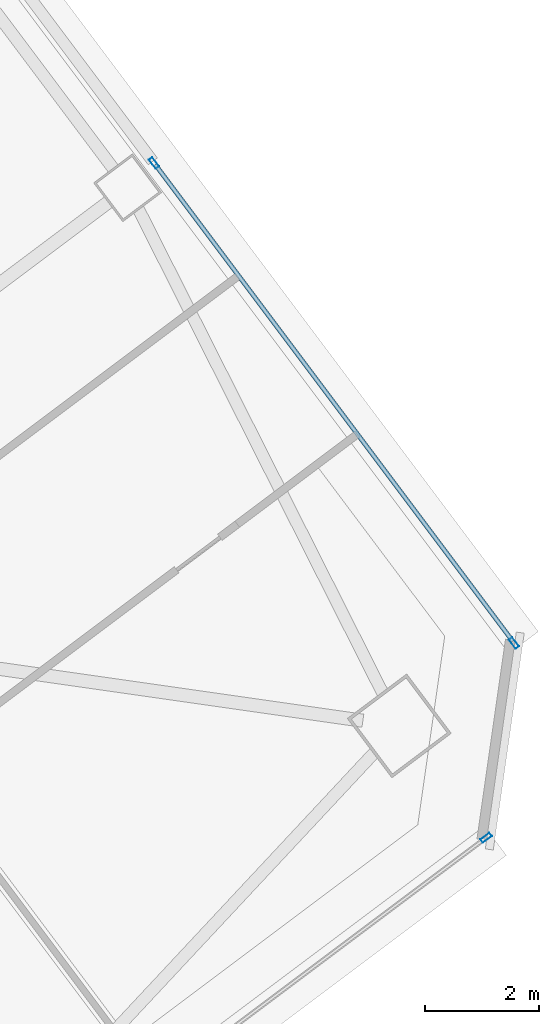
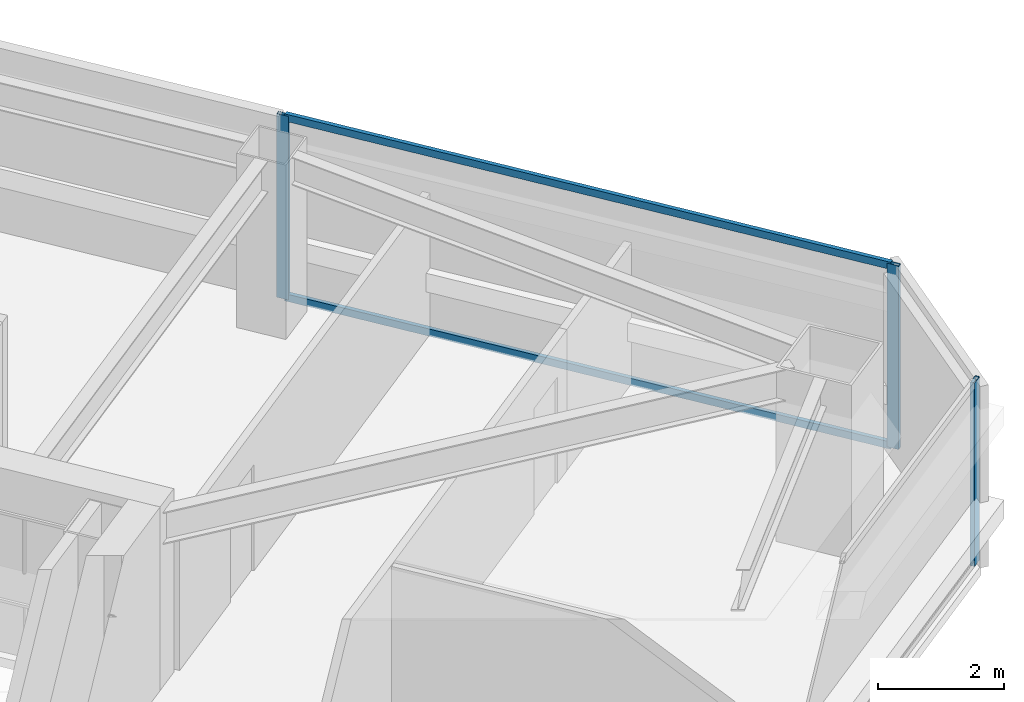
# One storey, part 24 of 41: 5 members, 2 elements without a shape of their own.
"""IFC4 building model written with IfcOpenShell, lengths in metres."""

from ifc_helpers import new_model, si_unit, direction, frame, origin, origin_2d, place, context, subcontext, project, spatial, hollow_rectangle, extrude, material, material_profile, profile_set, type_object, element, aggregate, save


model = new_model("IFC4")

# Units and contexts
model_context = context("Model", 3, precision=1e-05, world=origin(), true_north=direction((0.0, 1.0)))
body_context = subcontext(model_context, "Body", "Model", "MODEL_VIEW")
ifc_project = project(units=[si_unit("LENGTHUNIT", "METRE"), si_unit("AREAUNIT", "SQUARE_METRE"), si_unit("VOLUMEUNIT", "CUBIC_METRE"), si_unit("PLANEANGLEUNIT", "RADIAN"), si_unit("MASSUNIT", "GRAM", prefix="KILO")], contexts=[model_context])

# Site, building, storey
site_placement = place(None, origin())
site = spatial("IfcSite", under=ifc_project, at=site_placement, CompositionType="ELEMENT")
building_placement = place(site_placement, origin())
building = spatial("IfcBuilding", under=site, at=building_placement, Name="Tashvorn Skyway Center", CompositionType="ELEMENT")
storey_placement = place(building_placement, frame((0.0, 0.0, 117.949951171875)))
storey = spatial("IfcBuildingStorey", under=building, at=storey_placement, Name="L31", CompositionType="ELEMENT", Elevation=117.949951171875)

# Curtain wall, member
ifc_material = material(Name="Thermally broken bronze-anodized aluminium 6063-T6", Category="aluminium")
curtain_wall_type = type_object("IfcCurtainWallType", Name="CW-CW-Z3", PredefinedType="NOTDEFINED", material=ifc_material)
curtain_wall_1_placement = place(storey_placement, origin())
curtain_wall_1 = element("IfcCurtainWall", 1, at=curtain_wall_1_placement, inside=storey, type_object=curtain_wall_type, Name="Tower 2 L31 South Unitised Curtain Wall Glazing Group 1", PredefinedType="NOTDEFINED")
ifc_material_profile_1 = material_profile(ifc_material, hollow_rectangle(XDim=0.074951171875, YDim=0.199951171875, WallThickness=0.00439453125, at=origin_2d()), Name="ALU-MULL-75x200")
ifc_profile_set_1 = profile_set([ifc_material_profile_1], Name="Thermally broken bronze-anodized aluminium 6063-T6")
member_type_1 = type_object("IfcMemberType", Name="CWM-CW-Z3", PredefinedType="MULLION", material=ifc_profile_set_1)
member_1_placement = place(storey_placement, frame((137.64208984375, 26.881591796875, 0.0), z_axis=(0.0, 0.0, 1.0), x_axis=(0.600001511345, -0.799998866489, 0.0)))
member_1 = element("IfcMember", 2, at=member_1_placement, type_object=member_type_1, Name="CW-Z3 mullion 1", PredefinedType="MULLION", context=body_context, shape_type="SweptSolid", body=[
    extrude(hollow_rectangle(XDim=0.074951171875, YDim=0.199951171875, WallThickness=0.00439453125, at=origin_2d()), origin(), (0.0, 0.0, 1.0), 3.550048828125),
])
aggregate(curtain_wall_1, [member_1])

# Curtain wall, members
curtain_wall_2_placement = place(storey_placement, origin())
curtain_wall_2 = element("IfcCurtainWall", 3, at=curtain_wall_2_placement, inside=storey, type_object=curtain_wall_type, Name="Tower 2 L31 East Unitised Curtain Wall Glazing Group 2", PredefinedType="NOTDEFINED")
member_2_placement = place(storey_placement, frame((131.822509765625, 38.703369140625, 0.0), z_axis=(0.0, 0.0, 1.0), x_axis=(0.799998866489, 0.600001511345, 0.0)))
member_2 = element("IfcMember", 4, at=member_2_placement, type_object=member_type_1, Name="CW-Z3 mullion 1", PredefinedType="MULLION", context=body_context, shape_type="SweptSolid", body=[
    extrude(hollow_rectangle(XDim=0.074951171875, YDim=0.199951171875, WallThickness=0.00439453125, at=origin_2d()), origin(), (0.0, 0.0, 1.0), 3.550048828125),
])
member_3_placement = place(storey_placement, frame((138.12939453125, 30.2939453125, 0.0), z_axis=(0.0, 0.0, 1.0), x_axis=(0.799998866489, 0.600001511345, 0.0)))
member_3 = element("IfcMember", 5, at=member_3_placement, type_object=member_type_1, Name="CW-Z3 mullion 2", PredefinedType="MULLION", context=body_context, shape_type="SweptSolid", body=[
    extrude(hollow_rectangle(XDim=0.074951171875, YDim=0.199951171875, WallThickness=0.00439453125, at=origin_2d()), origin(), (0.0, 0.0, 1.0), 3.550048828125),
])
ifc_material_profile_2 = material_profile(ifc_material, hollow_rectangle(XDim=0.074951171875, YDim=0.139892578125, WallThickness=0.004150390625, at=origin_2d()), Name="ALU-TRAN-75x140")
ifc_profile_set_2 = profile_set([ifc_material_profile_2], Name="Thermally broken bronze-anodized aluminium 6063-T6")
member_type_2 = type_object("IfcMemberType", Name="CWT-CW-Z3", PredefinedType="USERDEFINED", material=ifc_profile_set_2)
member_4_placement = place(storey_placement, frame((131.844970703125, 38.67333984375, 0.03759765625), z_axis=(0.599996257181, -0.800002807101, 0.0), x_axis=(0.800002807101, 0.599996257181, 0.0)))
member_4 = element("IfcMember", 6, at=member_4_placement, type_object=member_type_2, Name="CW-Z3 transom 1.1", ObjectType="TRANSOM", PredefinedType="USERDEFINED", context=body_context, shape_type="SweptSolid", body=[
    extrude(hollow_rectangle(XDim=0.074951171875, YDim=0.139892578125, WallThickness=0.004150390625, at=origin_2d()), origin(), (0.0, 0.0, 1.0), 10.436767578125),
])
member_5_placement = place(storey_placement, frame((131.844970703125, 38.67333984375, 3.512451171875), z_axis=(0.599996257181, -0.800002807101, 0.0), x_axis=(0.800002807101, 0.599996257181, 0.0)))
member_5 = element("IfcMember", 7, at=member_5_placement, type_object=member_type_2, Name="CW-Z3 transom 1.2", ObjectType="TRANSOM", PredefinedType="USERDEFINED", context=body_context, shape_type="SweptSolid", body=[
    extrude(hollow_rectangle(XDim=0.074951171875, YDim=0.139892578125, WallThickness=0.004150390625, at=origin_2d()), origin(), (0.0, 0.0, 1.0), 10.436767578125),
])
aggregate(curtain_wall_2, [member_2, member_3, member_4, member_5])

save(model, "model.ifc")
